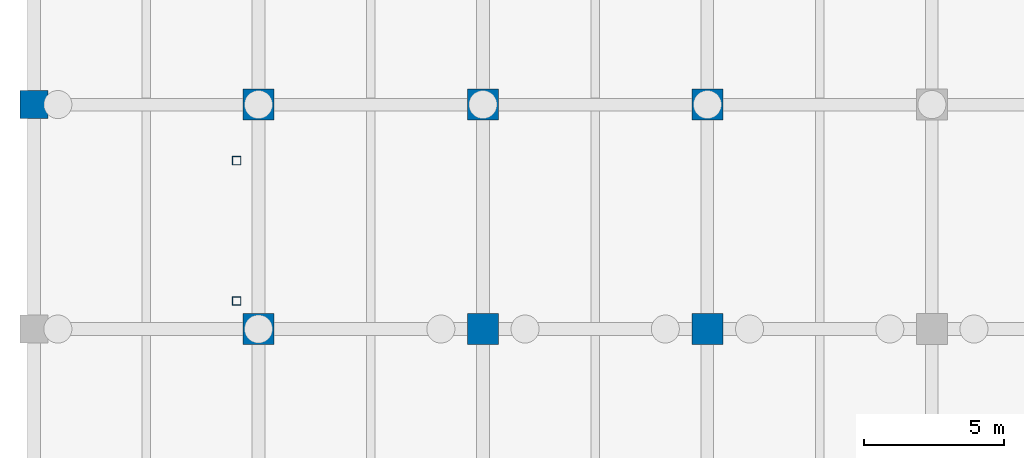
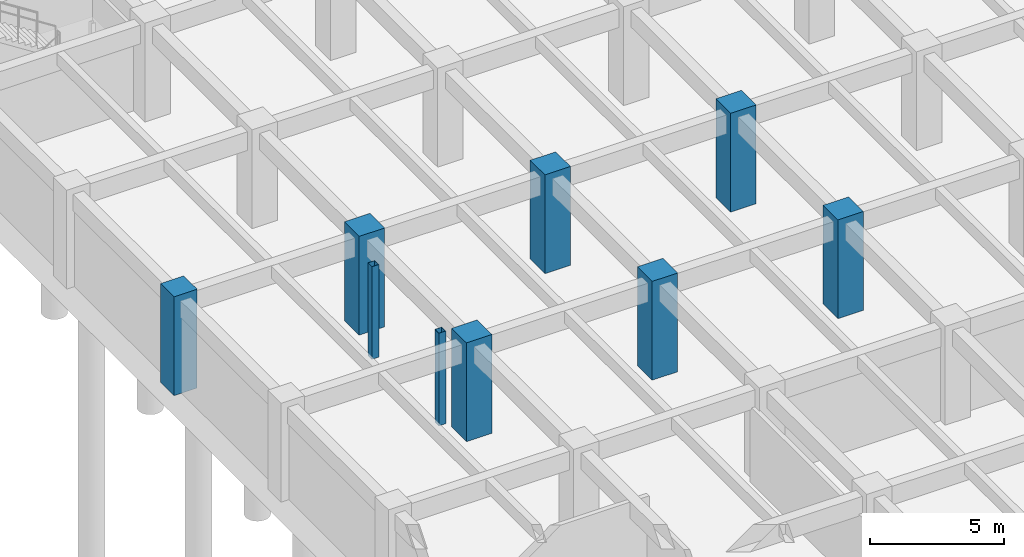
# One storey, part 4 of 15: 9 columns.
"""IFC4 building model written with IfcOpenShell, lengths in metres."""

from ifc_helpers import new_model, si_unit, direction, frame, origin, origin_2d, place, context, subcontext, project, spatial, rectangle, hollow_rectangle, extrude, material, material_profile, profile_set, type_object, element, save


model = new_model("IFC4")

# Units and contexts
model_context = context("Model", 3, precision=1e-05, world=origin(), true_north=direction((0.0, 1.0)))
body_context = subcontext(model_context, "Body", "Model", "MODEL_VIEW")
ifc_project = project(units=[si_unit("LENGTHUNIT", "METRE"), si_unit("AREAUNIT", "SQUARE_METRE"), si_unit("VOLUMEUNIT", "CUBIC_METRE"), si_unit("PLANEANGLEUNIT", "RADIAN"), si_unit("MASSUNIT", "GRAM", prefix="KILO")], contexts=[model_context])

# Site, building, storey
site_placement = place(None, origin())
site = spatial("IfcSite", under=ifc_project, at=site_placement, CompositionType="ELEMENT")
building_placement = place(site_placement, origin())
building = spatial("IfcBuilding", under=site, at=building_placement, Name="Canggui Botanical Conservatory", CompositionType="ELEMENT")
storey_placement = place(building_placement, frame((0.0, 0.0, -9.0)))
storey = spatial("IfcBuildingStorey", under=building, at=storey_placement, Name="B2", CompositionType="ELEMENT", Elevation=-9.0)

# Columns
ifc_material_1 = material(Name="Steel Q355C", Category="steel")
ifc_material_profile_1 = material_profile(ifc_material_1, hollow_rectangle(XDim=0.300048828125, YDim=0.300048828125, WallThickness=0.010009765625, at=origin_2d()), Name="SHS 300x300x10")
ifc_profile_set_1 = profile_set([ifc_material_profile_1], Name="Steel Q355C")
column_type_1 = type_object("IfcColumnType", Name="COL-GZ02", PredefinedType="COLUMN", material=ifc_profile_set_1)
for number, where, z_axis, x_axis, name in (
    (1, (129.219970703125, 75.0, 0.0), (0.0, 0.0, 1.0), (1.0, 0.0, 0.0), "SB-04 Corbel Support Pier B2-1"),
    (2, (129.219970703125, 80.0, 0.0), (0.0, 0.0, 1.0), (1.0, 0.0, 0.0), "SB-04 Corbel Support Pier B2-2"),
):
    element("IfcColumn", number, at=place(storey_placement, frame(where, z_axis=z_axis, x_axis=x_axis)), inside=storey, type_object=column_type_1, Name=name, PredefinedType="COLUMN", context=body_context, shape_type="SweptSolid", body=[
        extrude(hollow_rectangle(XDim=0.300048828125, YDim=0.300048828125, WallThickness=0.010009765625, at=origin_2d()), origin(), (0.0, 0.0, 1.0), 4.219970703125),
    ])
ifc_material_2 = material(Name="Concrete C50", Category="concrete")
ifc_material_profile_2 = material_profile(ifc_material_2, rectangle(XDim=1.10009765625, YDim=1.10009765625, at=origin_2d()), Name="RC 1100x1100")
ifc_profile_set_2 = profile_set([ifc_material_profile_2], Name="Concrete C50")
column_type_2 = type_object("IfcColumnType", Name="COL-KZ01", PredefinedType="COLUMN", material=ifc_profile_set_2)
for number, where, z_axis, x_axis, name in (
    (3, (130.0, 74.0, 0.0), (0.0, 0.0, 1.0), (1.0, 0.0, 0.0), "Tower RC Column B2 (130,74)"),
    (4, (130.0, 82.0, 0.0), (0.0, 0.0, 1.0), (1.0, 0.0, 0.0), "Tower RC Column B2 (130,82)"),
    (5, (138.0, 74.0, 0.0), (0.0, 0.0, 1.0), (1.0, 0.0, 0.0), "Tower RC Column B2 (138,74)"),
    (6, (138.0, 82.0, 0.0), (0.0, 0.0, 1.0), (1.0, 0.0, 0.0), "Tower RC Column B2 (138,82)"),
    (7, (146.0, 74.0, 0.0), (0.0, 0.0, 1.0), (1.0, 0.0, 0.0), "Tower RC Column B2 (146,74)"),
    (8, (146.0, 82.0, 0.0), (0.0, 0.0, 1.0), (1.0, 0.0, 0.0), "Tower RC Column B2 (146,82)"),
):
    element("IfcColumn", number, at=place(storey_placement, frame(where, z_axis=z_axis, x_axis=x_axis)), inside=storey, type_object=column_type_2, Name=name, PredefinedType="COLUMN", context=body_context, shape_type="SweptSolid", body=[
        extrude(rectangle(XDim=1.10009765625, YDim=1.10009765625, at=origin_2d()), origin(), (0.0, 0.0, 1.0), 4.5),
    ])
ifc_material_profile_3 = material_profile(ifc_material_2, rectangle(XDim=1.0, YDim=1.0, at=origin_2d()), Name="RC 1000x1000")
ifc_profile_set_3 = profile_set([ifc_material_profile_3], Name="Concrete C50")
column_type_3 = type_object("IfcColumnType", Name="COL-KZ03", PredefinedType="COLUMN", material=ifc_profile_set_3)
column_placement = place(storey_placement, frame((122.0, 82.0, 0.0), z_axis=(0.0, 0.0, 1.0), x_axis=(1.0, 0.0, 0.0)))
element("IfcColumn", 9, at=column_placement, inside=storey, type_object=column_type_3, Name="Tower RC Column B2 (122,82)", PredefinedType="COLUMN", context=body_context, shape_type="SweptSolid", body=[
    extrude(rectangle(XDim=1.0, YDim=1.0, at=origin_2d()), origin(), (0.0, 0.0, 1.0), 4.5),
])

save(model, "model.ifc")
